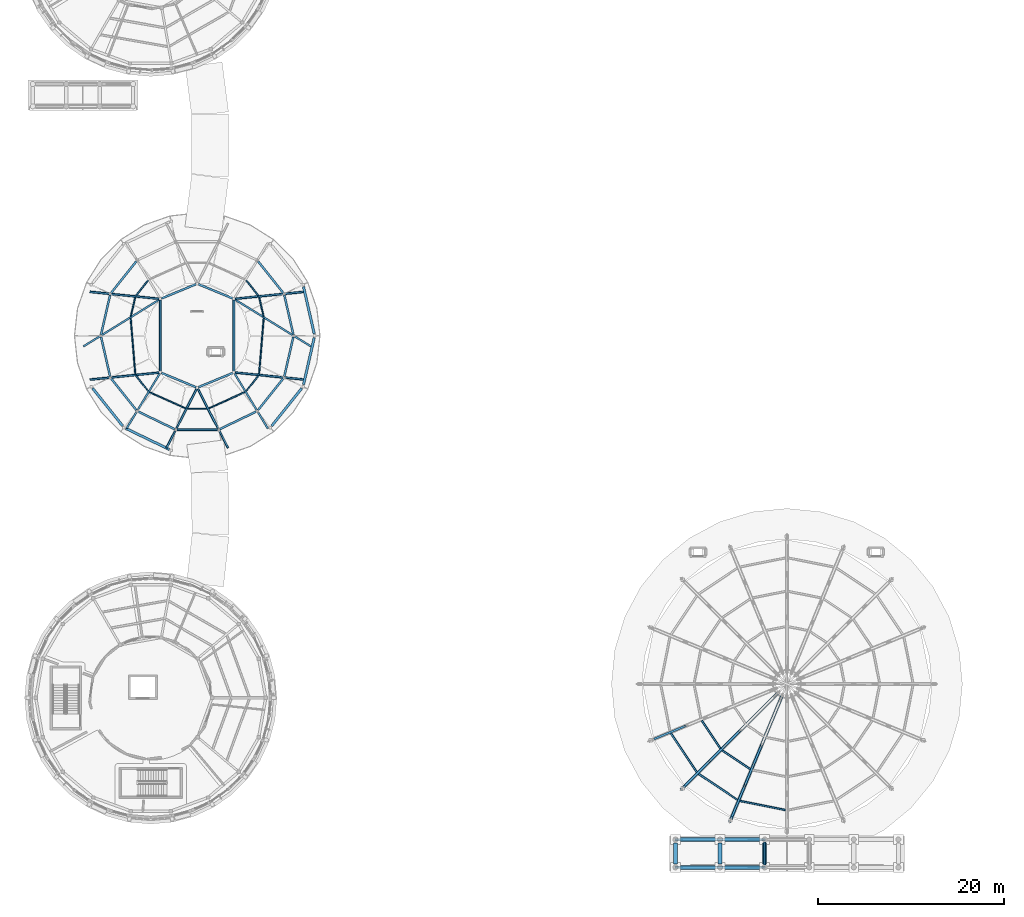
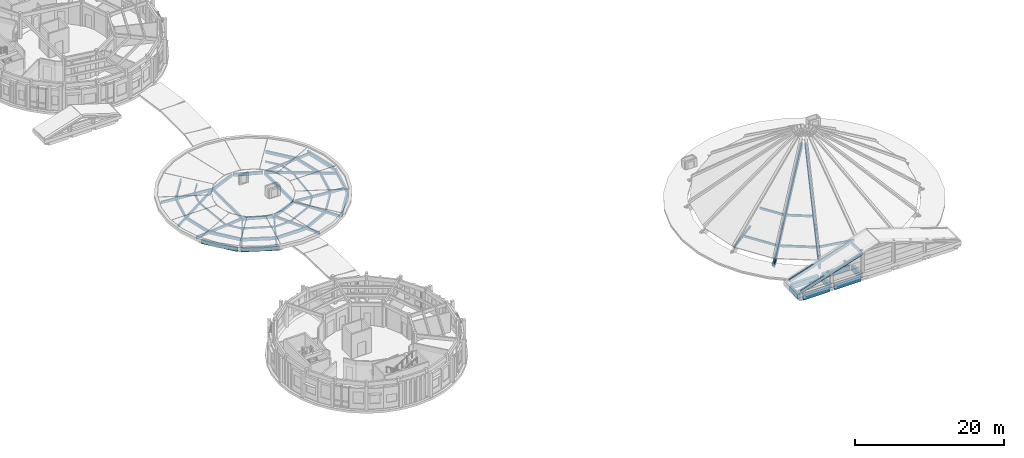
# One storey, part 9 of 58: 37 members, 30 beams.
"""IFC4 building model written with IfcOpenShell, lengths in metres."""

from ifc_helpers import new_model, si_unit, direction, frame, origin, origin_2d, place, context, subcontext, project, spatial, rectangle, extrude, material, material_profile, profile_set, type_object, element, save


model = new_model("IFC4")

# Units and contexts
model_context = context("Model", 3, precision=1e-05, world=origin(), true_north=direction((0.0, 1.0)))
body_context = subcontext(model_context, "Body", "Model", "MODEL_VIEW")
ifc_project = project(units=[si_unit("LENGTHUNIT", "METRE"), si_unit("AREAUNIT", "SQUARE_METRE"), si_unit("VOLUMEUNIT", "CUBIC_METRE"), si_unit("PLANEANGLEUNIT", "RADIAN"), si_unit("MASSUNIT", "GRAM", prefix="KILO")], contexts=[model_context])

# Site, building, storey
site_placement = place(None, origin())
site = spatial("IfcSite", under=ifc_project, at=site_placement, CompositionType="ELEMENT")
building_placement = place(site_placement, origin())
building = spatial("IfcBuilding", under=site, at=building_placement, Name="Aldenvaro Health Centre", CompositionType="ELEMENT")
storey_placement = place(building_placement, frame((0.0, 0.0, 8.75)))
storey = spatial("IfcBuildingStorey", under=building, at=storey_placement, Name="L02", CompositionType="ELEMENT", Elevation=8.75)

# Beams
ifc_material_1 = material(Name="Glulam GL28h", Category="wood")
ifc_material_profile_1 = material_profile(ifc_material_1, rectangle(XDim=0.215087890625, YDim=0.493896484375, at=origin_2d()), Name="GL 215x494", Category="wood")
ifc_profile_set_1 = profile_set([ifc_material_profile_1], Name="Glulam GL28h")
beam_type_1 = type_object("IfcBeamType", Name="BM-GL-494", PredefinedType="BEAM", material=ifc_profile_set_1)
for number, where, z_axis, x_axis, name in (
    (1, (27.337890625, 61.510986328125, 0.373046875), (-0.923972450967, 0.382459030295, 0.0), (-0.382459030295, -0.923972450967, 0.0), "D3 Roof Hub Ring 01"),
    (2, (23.3779296875, 63.049072265625, 0.373046875), (-0.923972450967, -0.382459030295, 0.0), (0.382459030295, -0.923972450967, 0.0), "D3 Roof Hub Ring 02"),
):
    element("IfcBeam", number, at=place(storey_placement, frame(where, z_axis=z_axis, x_axis=x_axis)), inside=storey, type_object=beam_type_1, Name=name, PredefinedType="BEAM", context=body_context, shape_type="SweptSolid", body=[
        extrude(rectangle(XDim=0.215087890625, YDim=0.493896484375, at=origin_2d()), origin(), (0.0, 0.0, 1.0), 4.021484375),
    ])
beam_1_placement = place(storey_placement, frame((19.5400390625, 61.327880859375, 0.373046875), z_axis=(0.0, -1.0, 0.0), x_axis=(1.0, 0.0, 0.0)))
element("IfcBeam", 3, at=beam_1_placement, inside=storey, type_object=beam_type_1, Name="D3 Roof Hub Ring 03", PredefinedType="BEAM", context=body_context, shape_type="SweptSolid", body=[
    extrude(rectangle(XDim=0.215087890625, YDim=0.493896484375, at=origin_2d()), origin(), (0.0, 0.0, 1.0), 7.65576171875),
])
for number, where, z_axis, x_axis, name in (
    (4, (19.662109375, 53.489013671875, 0.373046875), (0.923972450967, -0.382459030295, 0.0), (0.382459030295, 0.923972450967, 0.0), "D3 Roof Hub Ring 04"),
    (5, (23.6220703125, 51.950927734375, 0.373046875), (0.923972450967, 0.382459030295, 0.0), (-0.382459030295, 0.923972450967, 0.0), "D3 Roof Hub Ring 05"),
):
    element("IfcBeam", number, at=place(storey_placement, frame(where, z_axis=z_axis, x_axis=x_axis)), inside=storey, type_object=beam_type_1, Name=name, PredefinedType="BEAM", context=body_context, shape_type="SweptSolid", body=[
        extrude(rectangle(XDim=0.215087890625, YDim=0.493896484375, at=origin_2d()), origin(), (0.0, 0.0, 1.0), 4.021484375),
    ])
beam_2_placement = place(storey_placement, frame((27.4599609375, 53.672119140625, 0.373046875), z_axis=(0.0, 1.0, 0.0), x_axis=(-1.0, 0.0, 0.0)))
element("IfcBeam", 6, at=beam_2_placement, inside=storey, type_object=beam_type_1, Name="D3 Roof Hub Ring 06", PredefinedType="BEAM", context=body_context, shape_type="SweptSolid", body=[
    extrude(rectangle(XDim=0.215087890625, YDim=0.493896484375, at=origin_2d()), origin(), (0.0, 0.0, 1.0), 7.65576171875),
])
beam_3_placement = place(storey_placement, frame((33.85107421875, 57.62890625, 0.373046875), z_axis=(-0.222701516277, 0.974886677849, 0.0), x_axis=(-0.974886677849, -0.222701516277, 0.0)))
element("IfcBeam", 7, at=beam_3_placement, inside=storey, type_object=beam_type_1, Name="D3 Roof Eave Ring 01", PredefinedType="BEAM", context=body_context, shape_type="SweptSolid", body=[
    extrude(rectangle(XDim=0.215087890625, YDim=0.493896484375, at=origin_2d()), origin(), (0.0, 0.0, 1.0), 4.35546875),
])
for number, where, z_axis, x_axis, name in (
    (8, (32.76904296875, 62.10791015625, 0.373046875), (-0.623524717244, 0.781803637102, 0.0), (-0.781803637102, -0.623524717244, 0.0), "D3 Roof Eave Ring 02"),
    (9, (16.945068359375, 65.510986328125, 0.373046875), (-0.623524717244, -0.781803637102, 0.0), (0.781803637102, -0.623524717244, 0.0), "D3 Roof Eave Ring 06"),
):
    element("IfcBeam", number, at=place(storey_placement, frame(where, z_axis=z_axis, x_axis=x_axis)), inside=storey, type_object=beam_type_1, Name=name, PredefinedType="BEAM", context=body_context, shape_type="SweptSolid", body=[
        extrude(rectangle(XDim=0.215087890625, YDim=0.493896484375, at=origin_2d()), origin(), (0.0, 0.0, 1.0), 4.352783203125),
    ])
for number, where, z_axis, x_axis, name in (
    (10, (14.118896484375, 61.875, 0.373046875), (-0.222701516277, -0.974886677849, 0.0), (0.974886677849, -0.222701516277, 0.0), "D3 Roof Eave Ring 07"),
    (11, (13.14892578125, 57.37109375, 0.373046875), (0.222701516277, -0.974886677849, 0.0), (0.974886677849, 0.222701516277, 0.0), "D3 Roof Eave Ring 08"),
):
    element("IfcBeam", number, at=place(storey_placement, frame(where, z_axis=z_axis, x_axis=x_axis)), inside=storey, type_object=beam_type_1, Name=name, PredefinedType="BEAM", context=body_context, shape_type="SweptSolid", body=[
        extrude(rectangle(XDim=0.215087890625, YDim=0.493896484375, at=origin_2d()), origin(), (0.0, 0.0, 1.0), 4.35546875),
    ])
beam_4_placement = place(storey_placement, frame((14.23095703125, 52.89208984375, 0.373046875), z_axis=(0.623524717244, -0.781803637102, 0.0), x_axis=(0.781803637102, 0.623524717244, 0.0)))
element("IfcBeam", 12, at=beam_4_placement, inside=storey, type_object=beam_type_1, Name="D3 Roof Eave Ring 09", PredefinedType="BEAM", context=body_context, shape_type="SweptSolid", body=[
    extrude(rectangle(XDim=0.215087890625, YDim=0.493896484375, at=origin_2d()), origin(), (0.0, 0.0, 1.0), 4.352783203125),
])
beam_5_placement = place(storey_placement, frame((17.14697265625, 49.326904296875, 0.373046875), z_axis=(0.901042243312, -0.43373134054, 0.0), x_axis=(0.43373134054, 0.901042243312, 0.0)))
element("IfcBeam", 13, at=beam_5_placement, inside=storey, type_object=beam_type_1, Name="D3 Roof Eave Ring 10", PredefinedType="BEAM", context=body_context, shape_type="SweptSolid", body=[
    extrude(rectangle(XDim=0.215087890625, YDim=0.493896484375, at=origin_2d()), origin(), (0.0, 0.0, 1.0), 4.35498046875),
])
beam_6_placement = place(storey_placement, frame((21.322998046875, 47.3798828125, 0.373046875), z_axis=(1.0, 0.0, 0.0), x_axis=(0.0, 1.0, 0.0)))
element("IfcBeam", 14, at=beam_6_placement, inside=storey, type_object=beam_type_1, Name="D3 Roof Eave Ring 11", PredefinedType="BEAM", context=body_context, shape_type="SweptSolid", body=[
    extrude(rectangle(XDim=0.215087890625, YDim=0.493896484375, at=origin_2d()), origin(), (0.0, 0.0, 1.0), 4.35400390625),
])
beam_7_placement = place(storey_placement, frame((25.928955078125, 47.43798828125, 0.373046875), z_axis=(0.901042243312, 0.43373134054, 0.0), x_axis=(-0.43373134054, 0.901042243312, 0.0)))
element("IfcBeam", 15, at=beam_7_placement, inside=storey, type_object=beam_type_1, Name="D3 Roof Eave Ring 12", PredefinedType="BEAM", context=body_context, shape_type="SweptSolid", body=[
    extrude(rectangle(XDim=0.215087890625, YDim=0.493896484375, at=origin_2d()), origin(), (0.0, 0.0, 1.0), 4.35498046875),
])
beam_8_placement = place(storey_placement, frame((30.054931640625, 49.489013671875, 0.373046875), z_axis=(0.623524717244, 0.781803637102, 0.0), x_axis=(-0.781803637102, 0.623524717244, 0.0)))
element("IfcBeam", 16, at=beam_8_placement, inside=storey, type_object=beam_type_1, Name="D3 Roof Eave Ring 13", PredefinedType="BEAM", context=body_context, shape_type="SweptSolid", body=[
    extrude(rectangle(XDim=0.215087890625, YDim=0.493896484375, at=origin_2d()), origin(), (0.0, 0.0, 1.0), 4.352783203125),
])
beam_9_placement = place(storey_placement, frame((32.881103515625, 53.125, 0.373046875), z_axis=(0.222701516277, 0.974886677849, 0.0), x_axis=(-0.974886677849, 0.222701516277, 0.0)))
element("IfcBeam", 17, at=beam_9_placement, inside=storey, type_object=beam_type_1, Name="D3 Roof Eave Ring 14", PredefinedType="BEAM", context=body_context, shape_type="SweptSolid", body=[
    extrude(rectangle(XDim=0.215087890625, YDim=0.493896484375, at=origin_2d()), origin(), (0.0, 0.0, 1.0), 4.35546875),
])
beam_10_placement = place(storey_placement, frame((84.60009765625, 0.52490234375, 4.219970703125), z_axis=(0.0, 1.0, 0.0), x_axis=(-1.0, 0.0, 0.0)))
element("IfcBeam", 18, at=beam_10_placement, inside=storey, type_object=beam_type_1, Name="Portico Pediment Tympanum Tie Beam 1", PredefinedType="BEAM", context=body_context, shape_type="SweptSolid", body=[
    extrude(rectangle(XDim=0.215087890625, YDim=0.493896484375, at=origin_2d()), origin(), (0.0, 0.0, 1.0), 2.4501953125),
])
ifc_material_profile_2 = material_profile(ifc_material_1, rectangle(XDim=0.264892578125, YDim=0.64599609375, at=origin_2d()), Name="GL 265x646", Category="wood")
ifc_profile_set_2 = profile_set([ifc_material_profile_2], Name="Glulam GL28h")
beam_type_2 = type_object("IfcBeamType", Name="BM-GL-646", PredefinedType="SPANDREL", material=ifc_profile_set_2)
beam_11_placement = place(storey_placement, frame((36.10107421875, 57.714111328125, 0.297119140625), z_axis=(-0.222509356632, 0.974930554558, 0.0), x_axis=(-0.974930554558, -0.222509356632, 0.0)))
element("IfcBeam", 19, at=beam_11_placement, inside=storey, type_object=beam_type_2, Name="Garden Pavilion Peristyle Architrave 01", PredefinedType="SPANDREL", context=body_context, shape_type="SweptSolid", body=[
    extrude(rectangle(XDim=0.264892578125, YDim=0.64599609375, at=origin_2d()), origin(), (0.0, 0.0, 1.0), 5.19091796875),
])
beam_12_placement = place(storey_placement, frame((12.239990234375, 51.839111328125, 0.297119140625), z_axis=(0.623564197112, -0.781772148442, 0.0), x_axis=(0.781772148442, 0.623564197112, 0.0)))
element("IfcBeam", 20, at=beam_12_placement, inside=storey, type_object=beam_type_2, Name="Garden Pavilion Peristyle Architrave 09", PredefinedType="SPANDREL", context=body_context, shape_type="SweptSolid", body=[
    extrude(rectangle(XDim=0.264892578125, YDim=0.64599609375, at=origin_2d()), origin(), (0.0, 0.0, 1.0), 5.189697265625),
])
beam_13_placement = place(storey_placement, frame((15.81103515625, 47.514892578125, 0.297119140625), z_axis=(0.900887923887, -0.434051781007, 0.0), x_axis=(0.434051781007, 0.900887923887, 0.0)))
element("IfcBeam", 21, at=beam_13_placement, inside=storey, type_object=beam_type_2, Name="Garden Pavilion Peristyle Architrave 10", PredefinedType="SPANDREL", context=body_context, shape_type="SweptSolid", body=[
    extrude(rectangle(XDim=0.264892578125, YDim=0.64599609375, at=origin_2d()), origin(), (0.0, 0.0, 1.0), 5.1904296875),
])
beam_14_placement = place(storey_placement, frame((31.52392578125, 47.781982421875, 0.297119140625), z_axis=(0.623564197112, 0.781772148442, 0.0), x_axis=(-0.781772148442, 0.623564197112, 0.0)))
element("IfcBeam", 22, at=beam_14_placement, inside=storey, type_object=beam_type_2, Name="Garden Pavilion Peristyle Architrave 13", PredefinedType="SPANDREL", context=body_context, shape_type="SweptSolid", body=[
    extrude(rectangle(XDim=0.264892578125, YDim=0.64599609375, at=origin_2d()), origin(), (0.0, 0.0, 1.0), 5.189697265625),
])
beam_15_placement = place(storey_placement, frame((34.946044921875, 52.22509765625, 0.297119140625), z_axis=(0.222509356632, 0.974930554558, 0.0), x_axis=(-0.974930554558, 0.222509356632, 0.0)))
element("IfcBeam", 23, at=beam_15_placement, inside=storey, type_object=beam_type_2, Name="Garden Pavilion Peristyle Architrave 14", PredefinedType="SPANDREL", context=body_context, shape_type="SweptSolid", body=[
    extrude(rectangle(XDim=0.264892578125, YDim=0.64599609375, at=origin_2d()), origin(), (0.0, 0.0, 1.0), 5.19091796875),
])
ifc_material_2 = material(Name="Concrete f'c 40 MPa", Category="concrete")
ifc_material_profile_3 = material_profile(ifc_material_2, rectangle(XDim=0.449951171875, YDim=0.800048828125, at=origin_2d()), Name="RC 450x800", Category="concrete")
ifc_profile_set_3 = profile_set([ifc_material_profile_3], Name="Concrete f'c 40 MPa")
beam_type_3 = type_object("IfcBeamType", Name="BM-RC-800", PredefinedType="SPANDREL", material=ifc_profile_set_3)
for number, where, z_axis, x_axis, name in (
    (24, (75.0, 0.60009765625, 0.35009765625), (0.0, 1.0, 0.0), (-1.0, 0.0, 0.0), "Portico Coffered Architrave Tie 1"),
    (25, (79.800048828125, 0.60009765625, 0.35009765625), (0.0, 1.0, 0.0), (-1.0, 0.0, 0.0), "Portico Coffered Architrave Tie 2"),
    (26, (84.60009765625, 0.60009765625, 0.35009765625), (0.0, 1.0, 0.0), (-1.0, 0.0, 0.0), "Portico Coffered Architrave Tie 3"),
):
    element("IfcBeam", number, at=place(storey_placement, frame(where, z_axis=z_axis, x_axis=x_axis)), inside=storey, type_object=beam_type_3, Name=name, PredefinedType="SPANDREL", context=body_context, shape_type="SweptSolid", body=[
        extrude(rectangle(XDim=0.449951171875, YDim=0.800048828125, at=origin_2d()), origin(), (0.0, 0.0, 1.0), 2.2998046875),
    ])
for number, where, z_axis, x_axis, name in (
    (27, (75.35009765625, 0.25, 0.35009765625), (1.0, 0.0, 0.0), (0.0, 1.0, 0.0), "Neoclassical Portico Upper Entablature 1.1"),
    (28, (75.35009765625, 3.25, 0.35009765625), (1.0, 0.0, 0.0), (0.0, 1.0, 0.0), "Neoclassical Portico Upper Entablature 1.2"),
):
    element("IfcBeam", number, at=place(storey_placement, frame(where, z_axis=z_axis, x_axis=x_axis)), inside=storey, type_object=beam_type_3, Name=name, PredefinedType="SPANDREL", context=body_context, shape_type="SweptSolid", body=[
        extrude(rectangle(XDim=0.449951171875, YDim=0.800048828125, at=origin_2d()), origin(), (0.0, 0.0, 1.0), 4.099853515625),
    ])
for number, where, z_axis, x_axis, name in (
    (29, (80.14990234375, 0.25, 0.35009765625), (1.0, 0.0, 0.0), (0.0, 1.0, 0.0), "Neoclassical Portico Upper Entablature 2.1"),
    (30, (80.14990234375, 3.25, 0.35009765625), (1.0, 0.0, 0.0), (0.0, 1.0, 0.0), "Neoclassical Portico Upper Entablature 2.2"),
):
    element("IfcBeam", number, at=place(storey_placement, frame(where, z_axis=z_axis, x_axis=x_axis)), inside=storey, type_object=beam_type_3, Name=name, PredefinedType="SPANDREL", context=body_context, shape_type="SweptSolid", body=[
        extrude(rectangle(XDim=0.449951171875, YDim=0.800048828125, at=origin_2d()), origin(), (0.0, 0.0, 1.0), 4.10009765625),
    ])

# Members
ifc_material_profile_4 = material_profile(ifc_material_1, rectangle(XDim=0.264892578125, YDim=0.64599609375, at=origin_2d()), Name="GL 265x646", Category="wood")
ifc_profile_set_4 = profile_set([ifc_material_profile_4], Name="Glulam GL28h")
member_type_1 = type_object("IfcMemberType", Name="MEM-BC-646", PredefinedType="CHORD", material=ifc_profile_set_4)
member_1_placement = place(storey_placement, frame((75.884033203125, 8.884033203125, 0.449951171875), z_axis=(0.589052817465, 0.589052817465, 0.553202997528), x_axis=(-0.707106781187, 0.707106781187, 0.0)))
element("IfcMember", 31, at=member_1_placement, inside=storey, type_object=member_type_1, Name="Waiting Hall Roof Truss 11 Bottom Chord", PredefinedType="CHORD", context=body_context, shape_type="SweptSolid", body=[
    extrude(rectangle(XDim=0.264892578125, YDim=0.64599609375, at=origin_2d()), origin(), (0.0, 0.0, 1.0), 17.154541015625),
])
member_2_placement = place(storey_placement, frame((80.98388671875, 5.47705078125, 0.449951171875), z_axis=(0.318817225016, 0.76961034966, 0.553222818338), x_axis=(-0.923865025091, 0.382718454499, 0.0)))
element("IfcMember", 32, at=member_2_placement, inside=storey, type_object=member_type_1, Name="Waiting Hall Roof Truss 12 Bottom Chord", PredefinedType="CHORD", context=body_context, shape_type="SweptSolid", body=[
    extrude(rectangle(XDim=0.264892578125, YDim=0.64599609375, at=origin_2d()), origin(), (0.0, 0.0, 1.0), 17.154052734375),
])
ifc_material_profile_5 = material_profile(ifc_material_1, rectangle(XDim=0.139892578125, YDim=0.280029296875, at=origin_2d()), Name="GL 140x280", Category="wood")
ifc_profile_set_5 = profile_set([ifc_material_profile_5], Name="Glulam GL28h")
member_type_2 = type_object("IfcMemberType", Name="MEM-PR-280", PredefinedType="PURLIN", material=ifc_profile_set_5)
member_3_placement = place(storey_placement, frame((30.64599609375, 59.5869140625, 0.47998046875), z_axis=(-0.222923094131, 0.974836034471, 0.0), x_axis=(-0.974836034471, -0.222923094131, 0.0)))
element("IfcMember", 33, at=member_3_placement, inside=storey, type_object=member_type_2, Name="D3 Roof Purlin 01", PredefinedType="PURLIN", context=body_context, shape_type="SweptSolid", body=[
    extrude(rectangle(XDim=0.139892578125, YDim=0.280029296875, at=origin_2d()), origin(), (0.0, 0.0, 1.0), 2.090576171875),
])
for number, where, z_axis, x_axis, name in (
    (34, (30.0869140625, 61.818115234375, 0.47998046875), (-0.623226040714, 0.782041752195, 0.0), (-0.782041752195, -0.623226040714, 0.0), "D3 Roof Purlin 02"),
    (35, (18.215087890625, 63.451904296875, 0.47998046875), (-0.623226040714, -0.782041752195, 0.0), (0.782041752195, -0.623226040714, 0.0), "D3 Roof Purlin 06"),
):
    element("IfcMember", number, at=place(storey_placement, frame(where, z_axis=z_axis, x_axis=x_axis)), inside=storey, type_object=member_type_2, Name=name, PredefinedType="PURLIN", context=body_context, shape_type="SweptSolid", body=[
        extrude(rectangle(XDim=0.139892578125, YDim=0.280029296875, at=origin_2d()), origin(), (0.0, 0.0, 1.0), 2.089111328125),
    ])
member_4_placement = place(storey_placement, frame((16.820068359375, 61.625, 0.47998046875), z_axis=(-0.222923094131, -0.974836034471, 0.0), x_axis=(0.974836034471, -0.222923094131, 0.0)))
element("IfcMember", 36, at=member_4_placement, inside=storey, type_object=member_type_2, Name="D3 Roof Purlin 07", PredefinedType="PURLIN", context=body_context, shape_type="SweptSolid", body=[
    extrude(rectangle(XDim=0.139892578125, YDim=0.280029296875, at=origin_2d()), origin(), (0.0, 0.0, 1.0), 2.090576171875),
])
member_5_placement = place(storey_placement, frame((16.339111328125, 59.3701171875, 0.47998046875), z_axis=(0.082467483624, -0.996593755823, 0.0), x_axis=(0.996593755823, 0.082467483624, 0.0)))
element("IfcMember", 37, at=member_5_placement, inside=storey, type_object=member_type_2, Name="D3 Roof Purlin 08", PredefinedType="PURLIN", context=body_context, shape_type="SweptSolid", body=[
    extrude(rectangle(XDim=0.139892578125, YDim=0.280029296875, at=origin_2d()), origin(), (0.0, 0.0, 1.0), 6.0126953125),
])
member_6_placement = place(storey_placement, frame((16.9130859375, 53.181884765625, 0.47998046875), z_axis=(0.623226040714, -0.782041752195, 0.0), x_axis=(0.782041752195, 0.623226040714, 0.0)))
element("IfcMember", 38, at=member_6_placement, inside=storey, type_object=member_type_2, Name="D3 Roof Purlin 09", PredefinedType="PURLIN", context=body_context, shape_type="SweptSolid", body=[
    extrude(rectangle(XDim=0.139892578125, YDim=0.280029296875, at=origin_2d()), origin(), (0.0, 0.0, 1.0), 2.089111328125),
])
member_7_placement = place(storey_placement, frame((18.384033203125, 51.4169921875, 0.47998046875), z_axis=(0.912412020613, -0.409272897517, 0.0), x_axis=(0.409272897517, 0.912412020613, 0.0)))
element("IfcMember", 39, at=member_7_placement, inside=storey, type_object=member_type_2, Name="D3 Roof Purlin 10", PredefinedType="PURLIN", context=body_context, shape_type="SweptSolid", body=[
    extrude(rectangle(XDim=0.139892578125, YDim=0.280029296875, at=origin_2d()), origin(), (0.0, 0.0, 1.0), 4.231689453125),
])
member_8_placement = place(storey_placement, frame((22.455078125, 49.639892578125, 0.47998046875), z_axis=(1.0, 0.0, 0.0), x_axis=(0.0, 1.0, 0.0)))
element("IfcMember", 40, at=member_8_placement, inside=storey, type_object=member_type_2, Name="D3 Roof Purlin 11", PredefinedType="PURLIN", context=body_context, shape_type="SweptSolid", body=[
    extrude(rectangle(XDim=0.139892578125, YDim=0.280029296875, at=origin_2d()), origin(), (0.0, 0.0, 1.0), 2.08984375),
])
member_9_placement = place(storey_placement, frame((24.7548828125, 49.68505859375, 0.47998046875), z_axis=(0.912412020613, 0.409272897517, 0.0), x_axis=(-0.409272897517, 0.912412020613, 0.0)))
element("IfcMember", 41, at=member_9_placement, inside=storey, type_object=member_type_2, Name="D3 Roof Purlin 12", PredefinedType="PURLIN", context=body_context, shape_type="SweptSolid", body=[
    extrude(rectangle(XDim=0.139892578125, YDim=0.280029296875, at=origin_2d()), origin(), (0.0, 0.0, 1.0), 4.231689453125),
])
member_10_placement = place(storey_placement, frame((28.784912109375, 51.548095703125, 0.47998046875), z_axis=(0.623226040714, 0.782041752195, 0.0), x_axis=(-0.782041752195, 0.623226040714, 0.0)))
element("IfcMember", 42, at=member_10_placement, inside=storey, type_object=member_type_2, Name="D3 Roof Purlin 13", PredefinedType="PURLIN", context=body_context, shape_type="SweptSolid", body=[
    extrude(rectangle(XDim=0.139892578125, YDim=0.280029296875, at=origin_2d()), origin(), (0.0, 0.0, 1.0), 2.089111328125),
])
member_11_placement = place(storey_placement, frame((30.1650390625, 53.3779296875, 0.47998046875), z_axis=(0.082467483624, 0.996593755823, 0.0), x_axis=(-0.996593755823, 0.082467483624, 0.0)))
element("IfcMember", 43, at=member_11_placement, inside=storey, type_object=member_type_2, Name="D3 Roof Purlin 14", PredefinedType="PURLIN", context=body_context, shape_type="SweptSolid", body=[
    extrude(rectangle(XDim=0.139892578125, YDim=0.280029296875, at=origin_2d()), origin(), (0.0, 0.0, 1.0), 6.0126953125),
])
ifc_material_profile_6 = material_profile(ifc_material_1, rectangle(XDim=0.175048828125, YDim=0.35009765625, at=origin_2d()), Name="GL 175x350", Category="wood")
ifc_profile_set_6 = profile_set([ifc_material_profile_6], Name="Glulam GL28h")
member_type_3 = type_object("IfcMemberType", Name="MEM-PR-350", PredefinedType="PURLIN", material=ifc_profile_set_6)
for number, where, z_axis, x_axis, name in (
    (44, (74.512939453125, 14.679931640625, 1.89404296875), (0.555350004785, -0.831616721925, 0.0), (0.831616721925, 0.555350004785, 0.0), "Waiting Hall Roof Purlin 1.10"),
    (45, (77.4990234375, 10.304931640625, 1.89404296875), (0.831616721925, -0.555350004785, 0.0), (0.555350004785, 0.831616721925, 0.0), "Waiting Hall Roof Purlin 1.11"),
):
    element("IfcMember", number, at=place(storey_placement, frame(where, z_axis=z_axis, x_axis=x_axis)), inside=storey, type_object=member_type_3, Name=name, PredefinedType="PURLIN", context=body_context, shape_type="SweptSolid", body=[
        extrude(rectangle(XDim=0.175048828125, YDim=0.35009765625, at=origin_2d()), origin(), (0.0, 0.0, 1.0), 5.02734375),
    ])
member_12_placement = place(storey_placement, frame((81.93310546875, 7.407958984375, 1.89404296875), z_axis=(0.980772615397, -0.195153982502, 0.0), x_axis=(0.195153982502, 0.980772615397, 0.0)))
element("IfcMember", 46, at=member_12_placement, inside=storey, type_object=member_type_3, Name="Waiting Hall Roof Purlin 1.12", PredefinedType="PURLIN", context=body_context, shape_type="SweptSolid", body=[
    extrude(rectangle(XDim=0.175048828125, YDim=0.35009765625, at=origin_2d()), origin(), (0.0, 0.0, 1.0), 5.026611328125),
])
for number, where, z_axis, x_axis, name in (
    (47, (77.839111328125, 16.056884765625, 4.4580078125), (0.555462127667, -0.831541835825, 0.0), (0.831541835825, 0.555462127667, 0.0), "Waiting Hall Roof Purlin 2.10"),
    (48, (80.044921875, 12.85107421875, 4.4580078125), (0.831541835825, -0.555462127667, 0.0), (0.555462127667, 0.831541835825, 0.0), "Waiting Hall Roof Purlin 2.11"),
):
    element("IfcMember", number, at=place(storey_placement, frame(where, z_axis=z_axis, x_axis=x_axis)), inside=storey, type_object=member_type_3, Name=name, PredefinedType="PURLIN", context=body_context, shape_type="SweptSolid", body=[
        extrude(rectangle(XDim=0.175048828125, YDim=0.35009765625, at=origin_2d()), origin(), (0.0, 0.0, 1.0), 3.6220703125),
    ])
ifc_material_profile_7 = material_profile(ifc_material_1, rectangle(XDim=0.18994140625, YDim=0.41796875, at=origin_2d()), Name="GL 190x418", Category="wood")
ifc_profile_set_7 = profile_set([ifc_material_profile_7], Name="Glulam GL28h")
member_type_4 = type_object("IfcMemberType", Name="MEM-RF-418", PredefinedType="RAFTER", material=ifc_profile_set_7)
member_13_placement = place(storey_placement, frame((35.751953125, 56.344970703125, 0.410888671875), z_axis=(-0.851074687444, 0.525044642284, 0.0), x_axis=(-0.525044642284, -0.851074687444, 0.0)))
element("IfcMember", 49, at=member_13_placement, inside=storey, type_object=member_type_4, Name="D3 Radial Overhang Rafter 01", PredefinedType="RAFTER", context=body_context, shape_type="SweptSolid", body=[
    extrude(rectangle(XDim=0.18994140625, YDim=0.41796875, at=origin_2d()), origin(), (0.0, 0.0, 1.0), 9.60302734375),
])
for number, where, z_axis, x_axis, name in (
    (50, (35.041015625, 62.22509765625, 0.410888671875), (-0.994946942519, -0.100402099442, 0.0), (0.100402099442, -0.994946942519, 0.0), "D3 Radial Overhang Rafter 02"),
    (51, (11.958984375, 62.22509765625, 0.410888671875), (0.994946942519, -0.100402099442, 0.0), (0.100402099442, 0.994946942519, 0.0), "D3 Radial Overhang Rafter 07"),
):
    element("IfcMember", number, at=place(storey_placement, frame(where, z_axis=z_axis, x_axis=x_axis)), inside=storey, type_object=member_type_4, Name=name, PredefinedType="RAFTER", context=body_context, shape_type="SweptSolid", body=[
        extrude(rectangle(XDim=0.18994140625, YDim=0.41796875, at=origin_2d()), origin(), (0.0, 0.0, 1.0), 7.479736328125),
    ])
member_14_placement = place(storey_placement, frame((11.248046875, 56.344970703125, 0.410888671875), z_axis=(0.851074687444, 0.525044642284, 0.0), x_axis=(-0.525044642284, 0.851074687444, 0.0)))
element("IfcMember", 52, at=member_14_placement, inside=storey, type_object=member_type_4, Name="D3 Radial Overhang Rafter 08", PredefinedType="RAFTER", context=body_context, shape_type="SweptSolid", body=[
    extrude(rectangle(XDim=0.18994140625, YDim=0.41796875, at=origin_2d()), origin(), (0.0, 0.0, 1.0), 9.60302734375),
])
member_15_placement = place(storey_placement, frame((11.958984375, 52.77490234375, 0.410888671875), z_axis=(0.994946942519, 0.100402099442, 0.0), x_axis=(-0.100402099442, 0.994946942519, 0.0)))
element("IfcMember", 53, at=member_15_placement, inside=storey, type_object=member_type_4, Name="D3 Radial Overhang Rafter 09", PredefinedType="RAFTER", context=body_context, shape_type="SweptSolid", body=[
    extrude(rectangle(XDim=0.18994140625, YDim=0.41796875, at=origin_2d()), origin(), (0.0, 0.0, 1.0), 7.479736328125),
])
member_16_placement = place(storey_placement, frame((15.889892578125, 47.501953125, 0.410888671875), z_axis=(0.517400100416, 0.855743615863, 0.0), x_axis=(-0.855743615863, 0.517400100416, 0.0)))
element("IfcMember", 54, at=member_16_placement, inside=storey, type_object=member_type_4, Name="D3 Radial Overhang Rafter 10", PredefinedType="RAFTER", context=body_context, shape_type="SweptSolid", body=[
    extrude(rectangle(XDim=0.18994140625, YDim=0.41796875, at=origin_2d()), origin(), (0.0, 0.0, 1.0), 6.91552734375),
])
for number, where, z_axis, x_axis, name in (
    (55, (20.18896484375, 45.4208984375, 0.410888671875), (0.455051980613, 0.890464875747, 0.0), (-0.890464875747, 0.455051980613, 0.0), "D3 Radial Overhang Rafter 11"),
    (56, (26.81103515625, 45.4208984375, 0.410888671875), (-0.455051980613, 0.890464875747, 0.0), (-0.890464875747, -0.455051980613, 0.0), "D3 Radial Overhang Rafter 12"),
):
    element("IfcMember", number, at=place(storey_placement, frame(where, z_axis=z_axis, x_axis=x_axis)), inside=storey, type_object=member_type_4, Name=name, PredefinedType="RAFTER", context=body_context, shape_type="SweptSolid", body=[
        extrude(rectangle(XDim=0.18994140625, YDim=0.41796875, at=origin_2d()), origin(), (0.0, 0.0, 1.0), 7.135498046875),
    ])
member_17_placement = place(storey_placement, frame((31.110107421875, 47.501953125, 0.410888671875), z_axis=(-0.517400100416, 0.855743615863, 0.0), x_axis=(-0.855743615863, -0.517400100416, 0.0)))
element("IfcMember", 57, at=member_17_placement, inside=storey, type_object=member_type_4, Name="D3 Radial Overhang Rafter 13", PredefinedType="RAFTER", context=body_context, shape_type="SweptSolid", body=[
    extrude(rectangle(XDim=0.18994140625, YDim=0.41796875, at=origin_2d()), origin(), (0.0, 0.0, 1.0), 6.91552734375),
])
member_18_placement = place(storey_placement, frame((35.041015625, 52.77490234375, 0.410888671875), z_axis=(-0.994946942519, 0.100402099442, 0.0), x_axis=(-0.100402099442, -0.994946942519, 0.0)))
element("IfcMember", 58, at=member_18_placement, inside=storey, type_object=member_type_4, Name="D3 Radial Overhang Rafter 14", PredefinedType="RAFTER", context=body_context, shape_type="SweptSolid", body=[
    extrude(rectangle(XDim=0.18994140625, YDim=0.41796875, at=origin_2d()), origin(), (0.0, 0.0, 1.0), 7.479736328125),
])
ifc_material_profile_8 = material_profile(ifc_material_1, rectangle(XDim=0.215087890625, YDim=0.493896484375, at=origin_2d()), Name="GL 215x494", Category="wood")
ifc_profile_set_8 = profile_set([ifc_material_profile_8], Name="Glulam GL28h")
member_type_5 = type_object("IfcMemberType", Name="MEM-RF-494", PredefinedType="RAFTER", material=ifc_profile_set_8)
for number, where, z_axis, x_axis, name in (
    (59, (75.0, 0.25, 1.300048828125), (0.953055564026, 0.0, 0.302795462117), (0.0, 1.0, 0.0), "Portico Pediment Rafter W-1"),
    (60, (75.0, 3.25, 1.300048828125), (0.953055564026, 0.0, 0.302795462117), (0.0, 1.0, 0.0), "Portico Pediment Rafter W-2"),
):
    element("IfcMember", number, at=place(storey_placement, frame(where, z_axis=z_axis, x_axis=x_axis)), inside=storey, type_object=member_type_5, Name=name, PredefinedType="RAFTER", context=body_context, shape_type="SweptSolid", body=[
        extrude(rectangle(XDim=0.215087890625, YDim=0.493896484375, at=origin_2d()), origin(), (0.0, 0.0, 1.0), 10.072998046875),
    ])
ifc_material_profile_9 = material_profile(ifc_material_1, rectangle(XDim=0.31494140625, YDim=0.760009765625, at=origin_2d()), Name="GL 315x760", Category="wood")
ifc_profile_set_9 = profile_set([ifc_material_profile_9], Name="Glulam GL28h")
member_type_6 = type_object("IfcMemberType", Name="MEM-TC-760", PredefinedType="CHORD", material=ifc_profile_set_9)
member_19_placement = place(storey_placement, frame((80.923095703125, 5.3291015625, 0.030029296875), z_axis=(0.311115786451, 0.7510870781, 0.582301613026), x_axis=(-0.923877213585, 0.3826890307, 0.0)))
element("IfcMember", 61, at=member_19_placement, inside=storey, type_object=member_type_6, Name="Waiting Hall Roof Truss 12 Top Chord", PredefinedType="CHORD", context=body_context, shape_type="SweptSolid", body=[
    extrude(rectangle(XDim=0.31494140625, YDim=0.760009765625, at=origin_2d()), origin(), (0.0, 0.0, 1.0), 17.77392578125),
])
ifc_material_profile_10 = material_profile(ifc_material_1, rectangle(XDim=0.31494140625, YDim=0.760009765625, at=origin_2d()), Name="GL 315x760", Category="wood")
ifc_profile_set_10 = profile_set([ifc_material_profile_10], Name="Glulam GL28h")
member_type_7 = type_object("IfcMemberType", Name="MEM-TC-760E", PredefinedType="CHORD", material=ifc_profile_set_10)
member_20_placement = place(storey_placement, frame((75.77099609375, 8.77099609375, 0.030029296875), z_axis=(0.574867311388, 0.574867311388, 0.582284422423), x_axis=(-0.707106781187, 0.707106781187, 0.0)))
element("IfcMember", 62, at=member_20_placement, inside=storey, type_object=member_type_7, Name="Waiting Hall Roof Truss 11 Top Chord", PredefinedType="CHORD", context=body_context, shape_type="SweptSolid", body=[
    extrude(rectangle(XDim=0.31494140625, YDim=0.760009765625, at=origin_2d()), origin(), (0.0, 0.0, 1.0), 17.774658203125),
])
ifc_material_profile_11 = material_profile(ifc_material_1, rectangle(XDim=0.215087890625, YDim=0.342041015625, at=origin_2d()), Name="GL 215x342", Category="wood")
ifc_profile_set_11 = profile_set([ifc_material_profile_11], Name="Glulam GL28h")
member_type_8 = type_object("IfcMemberType", Name="MEM-WD-342", PredefinedType="USERDEFINED", material=ifc_profile_set_11)
member_21_placement = place(storey_placement, frame((72.7451171875, 14.094970703125, 0.98388671875), z_axis=(0.853261818914, 0.353610187179, 0.383280711629), x_axis=(-0.382847523166, 0.923811546802, 0.0)))
element("IfcMember", 63, at=member_21_placement, inside=storey, type_object=member_type_8, Name="Waiting Hall Roof Truss 10 Web Diagonal 1", ObjectType="DIAGONAL", PredefinedType="USERDEFINED", context=body_context, shape_type="SweptSolid", body=[
    extrude(rectangle(XDim=0.215087890625, YDim=0.342041015625, at=origin_2d()), origin(), (0.0, 0.0, 1.0), 3.908447265625),
])
member_22_placement = place(storey_placement, frame((76.089111328125, 9.089111328125, 0.98388671875), z_axis=(0.653118486986, 0.653118486986, 0.38323946028), x_axis=(-0.707106781187, 0.707106781187, 0.0)))
element("IfcMember", 64, at=member_22_placement, inside=storey, type_object=member_type_8, Name="Waiting Hall Roof Truss 11 Web Diagonal 1", ObjectType="DIAGONAL", PredefinedType="USERDEFINED", context=body_context, shape_type="SweptSolid", body=[
    extrude(rectangle(XDim=0.215087890625, YDim=0.342041015625, at=origin_2d()), origin(), (0.0, 0.0, 1.0), 3.908935546875),
])
member_23_placement = place(storey_placement, frame((78.64208984375, 11.64208984375, 3.342041015625), z_axis=(0.625769629693, 0.625769629693, 0.465644436354), x_axis=(-0.707106781187, 0.707106781187, 0.0)))
element("IfcMember", 65, at=member_23_placement, inside=storey, type_object=member_type_8, Name="Waiting Hall Roof Truss 11 Web Diagonal 2", ObjectType="DIAGONAL", PredefinedType="USERDEFINED", context=body_context, shape_type="SweptSolid", body=[
    extrude(rectangle(XDim=0.215087890625, YDim=0.342041015625, at=origin_2d()), origin(), (0.0, 0.0, 1.0), 5.220458984375),
])
member_24_placement = place(storey_placement, frame((81.094970703125, 5.7451171875, 0.98388671875), z_axis=(0.353610187179, 0.853261818914, 0.383280711629), x_axis=(-0.923811546802, 0.382847523166, 0.0)))
element("IfcMember", 66, at=member_24_placement, inside=storey, type_object=member_type_8, Name="Waiting Hall Roof Truss 12 Web Diagonal 1", ObjectType="DIAGONAL", PredefinedType="USERDEFINED", context=body_context, shape_type="SweptSolid", body=[
    extrude(rectangle(XDim=0.215087890625, YDim=0.342041015625, at=origin_2d()), origin(), (0.0, 0.0, 1.0), 3.908447265625),
])
member_25_placement = place(storey_placement, frame((82.47705078125, 9.080078125, 3.342041015625), z_axis=(0.338702081815, 0.817571263767, 0.465680285643), x_axis=(-0.923858366247, 0.382734528251, 0.0)))
element("IfcMember", 67, at=member_25_placement, inside=storey, type_object=member_type_8, Name="Waiting Hall Roof Truss 12 Web Diagonal 2", ObjectType="DIAGONAL", PredefinedType="USERDEFINED", context=body_context, shape_type="SweptSolid", body=[
    extrude(rectangle(XDim=0.215087890625, YDim=0.342041015625, at=origin_2d()), origin(), (0.0, 0.0, 1.0), 5.22021484375),
])

save(model, "model.ifc")
